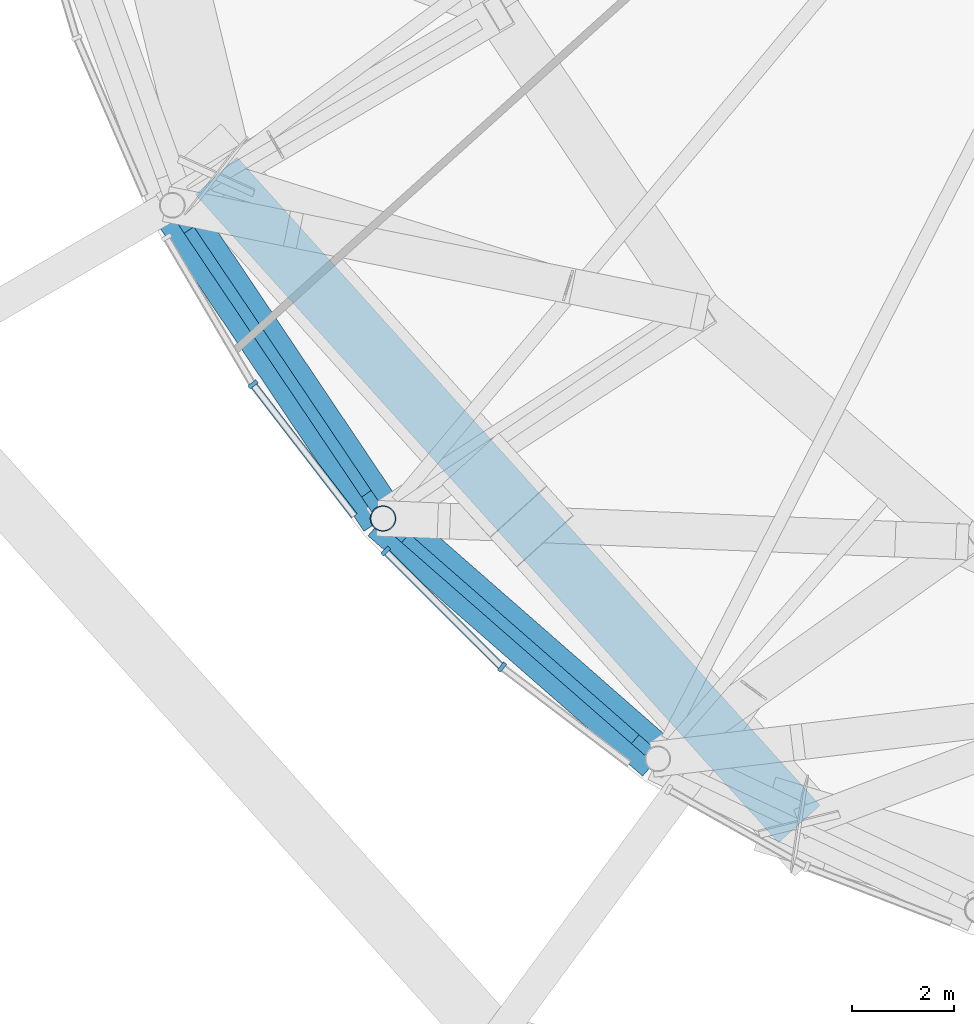
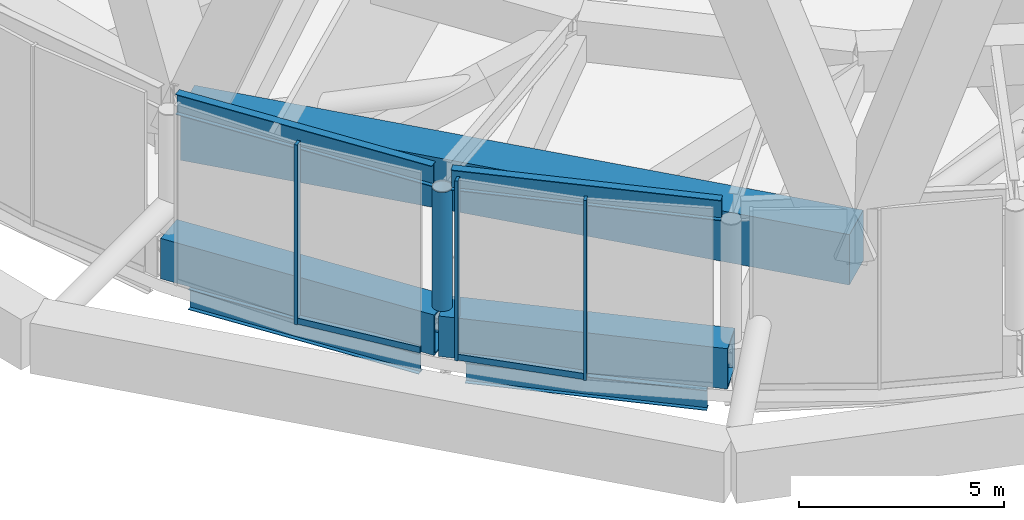
# One storey, part 2 of 49: 7 members, 6 beams, 3 elements without a shape of their own.
"""IFC4 building model written with IfcOpenShell, lengths in metres."""

from ifc_helpers import new_model, si_unit, direction, frame, origin, origin_2d, place, context, subcontext, project, spatial, rectangle, hollow_rectangle, hollow_circle, i_section, extrude, material, layer, layer_set, material_profile, profile_set, type_object, element, aggregate, save


model = new_model("IFC4")

# Units and contexts
model_context = context("Model", 3, precision=1e-05, world=origin(), true_north=direction((0.0, 1.0)))
body_context = subcontext(model_context, "Body", "Model", "MODEL_VIEW")
ifc_project = project(units=[si_unit("LENGTHUNIT", "METRE"), si_unit("AREAUNIT", "SQUARE_METRE"), si_unit("VOLUMEUNIT", "CUBIC_METRE"), si_unit("PLANEANGLEUNIT", "RADIAN"), si_unit("MASSUNIT", "GRAM", prefix="KILO")], contexts=[model_context])

# Site, building, storey
site_placement = place(None, origin())
site = spatial("IfcSite", under=ifc_project, at=site_placement, CompositionType="ELEMENT")
building_placement = place(site_placement, origin())
building = spatial("IfcBuilding", under=site, at=building_placement, Name="Nagisa Residences", CompositionType="ELEMENT")
storey_placement = place(building_placement, frame((0.0, 0.0, 160.300048828125)))
storey = spatial("IfcBuildingStorey", under=building, at=storey_placement, Name="L40", CompositionType="ELEMENT", Elevation=160.300048828125)

# Beams
ifc_material_1 = material(Name="Steel ASTM A572 Gr 50", Category="steel")
ifc_material_profile_1 = material_profile(ifc_material_1, hollow_rectangle(XDim=0.89990234375, YDim=1.199951171875, WallThickness=0.044921875, at=origin_2d()), Name="BX 900x1200x45")
ifc_profile_set_1 = profile_set([ifc_material_profile_1], Name="Steel ASTM A572 Gr 50")
beam_type_1 = type_object("IfcBeamType", Name="Belt chord 3 BX 900x1200x45", PredefinedType="BEAM", material=ifc_profile_set_1)
beam_1_placement = place(storey_placement, frame((-24.346923828125, -17.965087890625, 0.599853515625), z_axis=(0.558184113249, -0.829717117888, 0.0), x_axis=(0.829717117888, 0.558184113249, 0.0)))
element("IfcBeam", 1, at=beam_1_placement, inside=storey, type_object=beam_type_1, Name="beam:L40:bt3b15", PredefinedType="BEAM", context=body_context, shape_type="SweptSolid", body=[
    extrude(hollow_rectangle(XDim=0.89990234375, YDim=1.199951171875, WallThickness=0.044921875, at=origin_2d()), origin(), (0.0, 0.0, 1.0), 7.412353515625),
])
beam_2_placement = place(storey_placement, frame((-20.20947265625, -24.115234375, 0.599853515625), z_axis=(0.752513371651, -0.658576970055, 0.0), x_axis=(0.658576970055, 0.752513371651, 0.0)))
element("IfcBeam", 2, at=beam_2_placement, inside=storey, type_object=beam_type_1, Name="beam:L40:bt3b16", PredefinedType="BEAM", context=body_context, shape_type="SweptSolid", body=[
    extrude(hollow_rectangle(XDim=0.89990234375, YDim=1.199951171875, WallThickness=0.044921875, at=origin_2d()), origin(), (0.0, 0.0, 1.0), 7.16552734375),
])

# Curtain wall, member
ifc_material_2 = material(Name="Aluminium curtain wall system", Category="aluminium")
ifc_layer = layer(ifc_material_2, 0.159912109375)
ifc_layer_set = layer_set([ifc_layer], Name="CW2 CURTAIN WALL")
curtain_wall_type = type_object("IfcCurtainWallType", Name="CW2 CURTAIN WALL", PredefinedType="NOTDEFINED", material=ifc_layer_set)
curtain_wall_1_placement = place(storey_placement, origin())
curtain_wall_1 = element("IfcCurtainWall", 3, at=curtain_wall_1_placement, inside=storey, type_object=curtain_wall_type, Name="cw:CW2:L40:29", PredefinedType="NOTDEFINED")
ifc_material_3 = material(Name="Aluminium", Category="aluminium")
ifc_material_profile_2 = material_profile(ifc_material_3, rectangle(XDim=0.199951171875, YDim=0.080078125, at=origin_2d()), Name="CW2 MULLION 200x80")
ifc_profile_set_2 = profile_set([ifc_material_profile_2], Name="Aluminium")
member_type_1 = type_object("IfcMemberType", Name="CW2 MULLION 200x80", PredefinedType="MULLION", material=ifc_profile_set_2)
member_1_placement = place(storey_placement, frame((-22.763916015625, -21.482177734375, 0.0), z_axis=(0.0, 0.0, 1.0), x_axis=(0.792070340816, 0.610429828235, 0.0)))
member_1 = element("IfcMember", 4, at=member_1_placement, type_object=member_type_1, Name="CW2 mullion", PredefinedType="MULLION", context=body_context, shape_type="SweptSolid", body=[
    extrude(rectangle(XDim=0.199951171875, YDim=0.080078125, at=origin_2d()), origin(), (0.0, 0.0, 1.0), 5.33984375),
])

curtain_wall_2_placement = place(storey_placement, origin())
curtain_wall_2 = element("IfcCurtainWall", 5, at=curtain_wall_2_placement, inside=storey, type_object=curtain_wall_type, Name="cw:CW2:L40:30", PredefinedType="NOTDEFINED")
member_2_placement = place(storey_placement, frame((-20.15966796875, -24.75830078125, 0.0), z_axis=(0.0, 0.0, 1.0), x_axis=(0.706376885714, 0.707835924016, 0.0)))
member_2 = element("IfcMember", 6, at=member_2_placement, type_object=member_type_1, Name="CW2 mullion", PredefinedType="MULLION", context=body_context, shape_type="SweptSolid", body=[
    extrude(rectangle(XDim=0.199951171875, YDim=0.080078125, at=origin_2d()), origin(), (0.0, 0.0, 1.0), 5.33984375),
])

curtain_wall_3_placement = place(storey_placement, origin())
curtain_wall_3 = element("IfcCurtainWall", 7, at=curtain_wall_3_placement, inside=storey, type_object=curtain_wall_type, Name="cw:CW2:L40:31", PredefinedType="NOTDEFINED")
member_3_placement = place(storey_placement, frame((-17.873291015625, -27.033447265625, 0.0), z_axis=(0.0, 0.0, 1.0), x_axis=(0.605255421737, 0.79603132756, 0.0)))
member_3 = element("IfcMember", 8, at=member_3_placement, type_object=member_type_1, Name="CW2 mullion", PredefinedType="MULLION", context=body_context, shape_type="SweptSolid", body=[
    extrude(rectangle(XDim=0.199951171875, YDim=0.080078125, at=origin_2d()), origin(), (0.0, 0.0, 1.0), 5.33984375),
])
aggregate(curtain_wall_3, [member_3])

# Member
ifc_material_4 = material(Name="Aluminium", Category="aluminium")
ifc_material_profile_3 = material_profile(ifc_material_4, rectangle(XDim=0.139892578125, YDim=0.179931640625, at=origin_2d()), Name="CW2 TRANSOM 140x180")
ifc_profile_set_3 = profile_set([ifc_material_profile_3], Name="Aluminium")
member_type_2 = type_object("IfcMemberType", Name="CW2 TRANSOM 140x180", PredefinedType="USERDEFINED", material=ifc_profile_set_3)
member_4_placement = place(storey_placement, frame((-22.788330078125, -21.450439453125, 0.08984375), z_axis=(0.61045080008, -0.79205417787, 0.0), x_axis=(0.79205417787, 0.61045080008, 0.0)))
member_4 = element("IfcMember", 9, at=member_4_placement, type_object=member_type_2, Name="CW2 transom", ObjectType="TRANSOM", PredefinedType="USERDEFINED", context=body_context, shape_type="SweptSolid", body=[
    extrude(rectangle(XDim=0.139892578125, YDim=0.179931640625, at=origin_2d()), origin(), (0.0, 0.0, 1.0), 3.299072265625),
])

aggregate(curtain_wall_1, [member_1, member_4])

member_5_placement = place(storey_placement, frame((-20.18798828125, -24.72998046875, 0.08984375), z_axis=(0.707822990825, -0.706389845383, 0.0), x_axis=(0.706389845383, 0.707822990825, 0.0)))
member_5 = element("IfcMember", 10, at=member_5_placement, type_object=member_type_2, Name="CW2 transom", ObjectType="TRANSOM", PredefinedType="USERDEFINED", context=body_context, shape_type="SweptSolid", body=[
    extrude(rectangle(XDim=0.139892578125, YDim=0.179931640625, at=origin_2d()), origin(), (0.0, 0.0, 1.0), 3.23681640625),
])

aggregate(curtain_wall_2, [member_2, member_5])

ifc_material_5 = material(Name="Concrete C80", Category="concrete")
ifc_material_profile_4 = material_profile(ifc_material_5, rectangle(XDim=1.10009765625, YDim=1.5, at=origin_2d()), Name="C80 1100x1500")
ifc_profile_set_4 = profile_set([ifc_material_profile_4], Name="Concrete C80")
member_type_3 = type_object("IfcMemberType", Name="Cage ring 4 C80 1100x1500", PredefinedType="CHORD", material=ifc_profile_set_4)
member_6_placement = place(storey_placement, frame((-23.48486328125, -17.387451171875, 3.699951171875), z_axis=(0.668693639679, -0.743538039547, 0.0), x_axis=(0.743538039547, 0.668693639679, 0.0)))
element("IfcMember", 11, at=member_6_placement, inside=storey, type_object=member_type_3, Name="beam:L40:cg4r008", PredefinedType="CHORD", context=body_context, shape_type="SweptSolid", body=[
    extrude(rectangle(XDim=1.10009765625, YDim=1.5, at=origin_2d()), origin(), (0.0, 0.0, 1.0), 17.118896484375),
])

# Beams
ifc_material_6 = material(Name="Steel ASTM A572 Gr 50", Category="steel")
ifc_material_profile_5 = material_profile(ifc_material_6, i_section(OverallWidth=0.22802734375, OverallDepth=0.60302734375, WebThickness=0.010498046875, FlangeThickness=0.014892578125, at=origin_2d()), Name="W610x101")
ifc_profile_set_5 = profile_set([ifc_material_profile_5], Name="Steel ASTM A572 Gr 50")
beam_type_2 = type_object("IfcBeamType", Name="Garden edge beam W610x101", PredefinedType="BEAM", material=ifc_profile_set_5)
beam_3_placement = place(storey_placement, frame((-24.21630859375, -18.159423828125, 5.038330078125), z_axis=(0.558192094532, -0.829711748502, 0.0), x_axis=(0.829711748502, 0.558192094532, 0.0)))
element("IfcBeam", 12, at=beam_3_placement, inside=storey, type_object=beam_type_2, Name="beam:L40:bt3ge15", PredefinedType="BEAM", context=body_context, shape_type="SweptSolid", body=[
    extrude(i_section(OverallWidth=0.22802734375, OverallDepth=0.60302734375, WebThickness=0.010498046875, FlangeThickness=0.014892578125, at=origin_2d()), origin(), (0.0, 0.0, 1.0), 6.9443359375),
])
beam_4_placement = place(storey_placement, frame((-20.033447265625, -24.269287109375, 5.038330078125), z_axis=(0.752497654191, -0.658594928948, 0.0), x_axis=(0.658594928948, 0.752497654191, 0.0)))
element("IfcBeam", 13, at=beam_4_placement, inside=storey, type_object=beam_type_2, Name="beam:L40:bt3ge16", PredefinedType="BEAM", context=body_context, shape_type="SweptSolid", body=[
    extrude(i_section(OverallWidth=0.22802734375, OverallDepth=0.60302734375, WebThickness=0.010498046875, FlangeThickness=0.014892578125, at=origin_2d()), origin(), (0.0, 0.0, 1.0), 6.697509765625),
])

# Member
ifc_material_7 = material(Name="Steel ASTM A572 Gr 65", Category="steel")
ifc_material_profile_6 = material_profile(ifc_material_7, hollow_circle(Radius=0.25390625, WallThickness=0.02001953125, at=origin_2d()), Name="CHS 508x20")
ifc_profile_set_6 = profile_set([ifc_material_profile_6], Name="Steel ASTM A572 Gr 65")
member_type_4 = type_object("IfcMemberType", Name="Garden edge post CHS 508x20", PredefinedType="POST", material=ifc_profile_set_6)
member_7_placement = place(storey_placement, frame((-20.20947265625, -24.115234375, 1.199951171875), z_axis=(0.0, 0.0, 1.0), x_axis=(1.0, 0.0, 0.0)))
element("IfcMember", 14, at=member_7_placement, inside=storey, type_object=member_type_4, Name="mem:L40:gp316", PredefinedType="POST", context=body_context, shape_type="SweptSolid", body=[
    extrude(hollow_circle(Radius=0.25390625, WallThickness=0.02001953125, at=origin_2d()), origin(), (0.0, 0.0, 1.0), 3.537109375),
])

# Beams
ifc_material_8 = material(Name="Steel ASTM A572 Gr 50", Category="steel")
ifc_material_profile_7 = material_profile(ifc_material_8, i_section(OverallWidth=0.22802734375, OverallDepth=0.60302734375, WebThickness=0.010498046875, FlangeThickness=0.014892578125, at=origin_2d()), Name="W610x101")
ifc_profile_set_7 = profile_set([ifc_material_profile_7], Name="Steel ASTM A572 Gr 50")
beam_type_3 = type_object("IfcBeamType", Name="Perimeter ring beam W610x101", PredefinedType="BEAM", material=ifc_profile_set_7)
beam_5_placement = place(storey_placement, frame((-24.020751953125, -18.4501953125, -0.651611328125), z_axis=(0.558187951157, -0.82971453596, 0.0), x_axis=(0.82971453596, 0.558187951157, 0.0)))
element("IfcBeam", 15, at=beam_5_placement, inside=storey, type_object=beam_type_3, Name="beam:L40:pb15", PredefinedType="BEAM", context=body_context, shape_type="SweptSolid", body=[
    extrude(i_section(OverallWidth=0.22802734375, OverallDepth=0.60302734375, WebThickness=0.010498046875, FlangeThickness=0.014892578125, at=origin_2d()), origin(), (0.0, 0.0, 1.0), 6.24267578125),
])
beam_6_placement = place(storey_placement, frame((-19.769287109375, -24.500732421875, -0.651611328125), z_axis=(0.75252371036, -0.658565156493, 0.0), x_axis=(0.658565156493, 0.75252371036, 0.0)))
element("IfcBeam", 16, at=beam_6_placement, inside=storey, type_object=beam_type_3, Name="beam:L40:pb16", PredefinedType="BEAM", context=body_context, shape_type="SweptSolid", body=[
    extrude(i_section(OverallWidth=0.22802734375, OverallDepth=0.60302734375, WebThickness=0.010498046875, FlangeThickness=0.014892578125, at=origin_2d()), origin(), (0.0, 0.0, 1.0), 5.994384765625),
])

save(model, "model.ifc")
